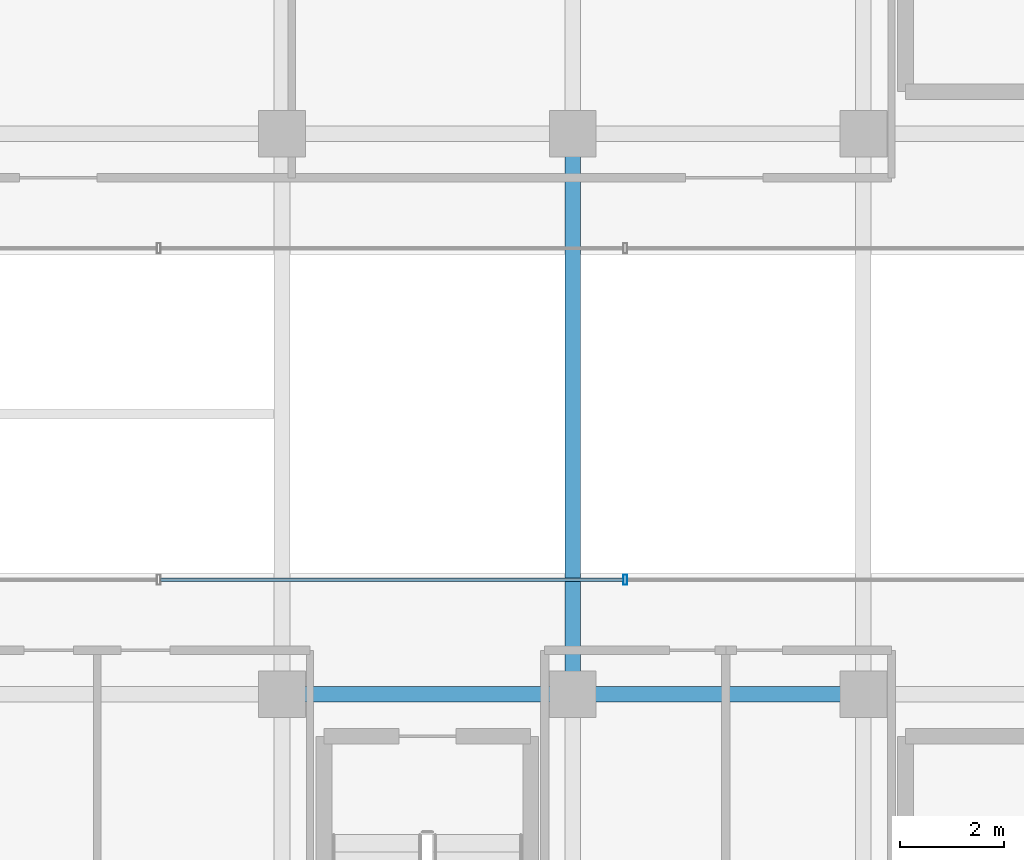
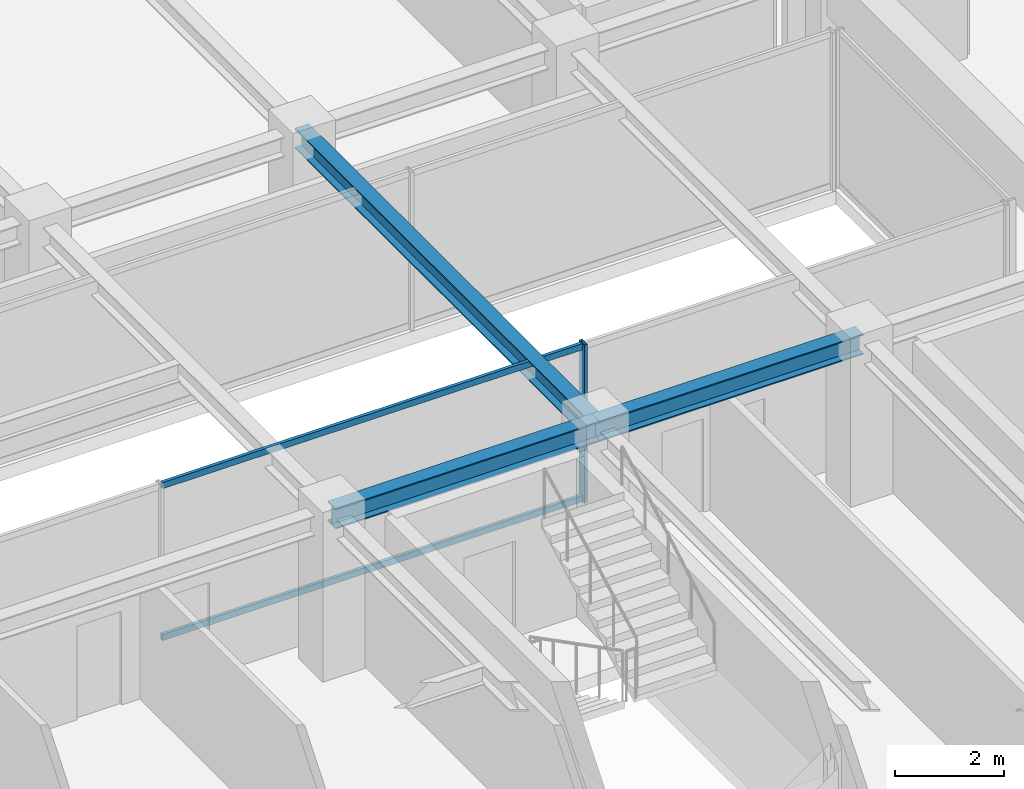
# One storey, part 13 of 39: 3 beams, 3 members, 1 element without a shape of its own.
"""IFC4 building model written with IfcOpenShell, lengths in metres."""

from ifc_helpers import new_model, si_unit, direction, frame, origin, origin_2d, place, context, subcontext, project, spatial, hollow_rectangle, i_section, extrude, source, transform, mapped, material, material_profile, profile_set, type_object, element, aggregate, save


model = new_model("IFC4")

# Units and contexts
model_context = context("Model", 3, precision=1e-05, world=origin(), true_north=direction((0.0, 1.0)))
body_context = subcontext(model_context, "Body", "Model", "MODEL_VIEW")
ifc_project = project(units=[si_unit("LENGTHUNIT", "METRE"), si_unit("AREAUNIT", "SQUARE_METRE"), si_unit("VOLUMEUNIT", "CUBIC_METRE"), si_unit("PLANEANGLEUNIT", "RADIAN"), si_unit("MASSUNIT", "GRAM", prefix="KILO")], contexts=[model_context])

# Site, building, storey
site_placement = place(None, origin())
site = spatial("IfcSite", under=ifc_project, at=site_placement, CompositionType="ELEMENT")
building_placement = place(site_placement, origin())
building = spatial("IfcBuilding", under=site, at=building_placement, Name="Nahalor Promenade Grand Hotel", CompositionType="ELEMENT")
storey_placement = place(building_placement, frame((0.0, 0.0, 311.89990234375)))
storey = spatial("IfcBuildingStorey", under=building, at=storey_placement, Name="L80", CompositionType="ELEMENT", Elevation=311.89990234375)

# Beams
ifc_material_1 = material(Name="Steel S355JR", Category="steel")
ifc_material_profile_1 = material_profile(ifc_material_1, i_section(OverallWidth=0.3, OverallDepth=0.45, WebThickness=0.014, FlangeThickness=0.026, at=origin_2d()), Name="HEB 450")
ifc_profile_set_1 = profile_set([ifc_material_profile_1], Name="Steel S355JR")
beam_type = type_object("IfcBeamType", Name="Beam-Girder-HEB450", PredefinedType="BEAM", material=ifc_profile_set_1)
shared_shape_1 = source(origin(), body_context, "Body", "SweptSolid", [
    extrude(i_section(OverallWidth=0.3, OverallDepth=0.45, WebThickness=0.014, FlangeThickness=0.026, at=origin_2d()), origin(), (0.0, 0.0, 1.0), 5.599853515625),
])
beam_1_placement = place(storey_placement, frame((-8.39990234375, -5.39990234375, 3.3251953125), z_axis=(1.0, 0.0, 0.0), x_axis=(0.0, 1.0, 0.0)))
element("IfcBeam", 1, at=beam_1_placement, inside=storey, type_object=beam_type, Name="BM-L80-GX-1-2", PredefinedType="BEAM", context=body_context, shape_type="MappedRepresentation", body=[
    mapped(shared_shape_1, transform((0.0, 0.0, 0.0), scale=1.0)),
])
shared_shape_2 = source(origin(), body_context, "Body", "SweptSolid", [
    extrude(i_section(OverallWidth=0.3, OverallDepth=0.45, WebThickness=0.014, FlangeThickness=0.026, at=origin_2d()), origin(), (0.0, 0.0, 1.0), 5.60009765625),
])
beam_2_placement = place(storey_placement, frame((-2.800048828125, -5.39990234375, 3.3251953125), z_axis=(1.0, 0.0, 0.0), x_axis=(0.0, 1.0, 0.0)))
element("IfcBeam", 2, at=beam_2_placement, inside=storey, type_object=beam_type, Name="BM-L80-GX-1-3", PredefinedType="BEAM", context=body_context, shape_type="MappedRepresentation", body=[
    mapped(shared_shape_2, transform((0.0, 0.0, 0.0), scale=1.0)),
])
shared_shape_3 = source(origin(), body_context, "Body", "SweptSolid", [
    extrude(i_section(OverallWidth=0.3, OverallDepth=0.45, WebThickness=0.014, FlangeThickness=0.026, at=origin_2d()), origin(), (0.0, 0.0, 1.0), 10.7998046875),
])
beam_3_placement = place(storey_placement, frame((-2.800048828125, -5.39990234375, 3.3251953125), z_axis=(0.0, 1.0, 0.0), x_axis=(-1.0, 0.0, 0.0)))
element("IfcBeam", 3, at=beam_3_placement, inside=storey, type_object=beam_type, Name="BM-L80-GY-2-2", PredefinedType="BEAM", context=body_context, shape_type="MappedRepresentation", body=[
    mapped(shared_shape_3, transform((0.0, 0.0, 0.0), scale=1.0)),
])

# Curtain wall, members
ifc_material_2 = material(Name="Anodised Bronze Aluminium EN AW-6063 T6", Category="aluminium")
curtain_wall_type = type_object("IfcCurtainWallType", Name="CW3 Elliptical-Void Collar Unitised Curtain Wall", PredefinedType="USERDEFINED", material=ifc_material_2)
curtain_wall_placement = place(storey_placement, origin())
curtain_wall = element("IfcCurtainWall", 4, at=curtain_wall_placement, inside=storey, type_object=curtain_wall_type, Name="L80 Curtain Wall CW-L80-VOID-WS1", ObjectType="UNITISED_CURTAIN_WALL", PredefinedType="USERDEFINED")
ifc_material_profile_2 = material_profile(ifc_material_2, hollow_rectangle(XDim=0.07, YDim=0.14, WallThickness=0.004, at=origin_2d()), Name="CWT 70x140x4")
ifc_profile_set_2 = profile_set([ifc_material_profile_2], Name="Anodised Bronze Aluminium EN AW-6063 T6")
member_type_1 = type_object("IfcMemberType", Name="CWT3 Void Collar Transom 70x140", PredefinedType="USERDEFINED", material=ifc_profile_set_2)
shared_shape_4 = source(origin(), body_context, "Body", "SweptSolid", [
    extrude(hollow_rectangle(XDim=0.07, YDim=0.14, WallThickness=0.004, at=origin_2d()), origin(), (0.0, 0.0, 1.0), 8.91650390625),
])
member_1_placement = place(storey_placement, frame((-10.73828125, -3.19091796875, 0.070068359375), z_axis=(1.0, 0.0, 0.0), x_axis=(0.0, 1.0, 0.0)))
member_1 = element("IfcMember", 5, at=member_1_placement, type_object=member_type_1, Name="CW-L80-VOID-WS1 Transom 1-0", ObjectType="TRANSOM", PredefinedType="USERDEFINED", context=body_context, shape_type="MappedRepresentation", body=[
    mapped(shared_shape_4, transform((0.0, 0.0, 0.0), scale=1.0)),
])
member_2_placement = place(storey_placement, frame((-10.73828125, -3.19091796875, 3.47998046875), z_axis=(1.0, 0.0, 0.0), x_axis=(0.0, 1.0, 0.0)))
member_2 = element("IfcMember", 6, at=member_2_placement, type_object=member_type_1, Name="CW-L80-VOID-WS1 Transom 1-1", ObjectType="TRANSOM", PredefinedType="USERDEFINED", context=body_context, shape_type="MappedRepresentation", body=[
    mapped(shared_shape_4, transform((0.0, 0.0, 0.0), scale=1.0)),
])
ifc_material_profile_3 = material_profile(ifc_material_2, hollow_rectangle(XDim=0.07, YDim=0.2, WallThickness=0.005, at=origin_2d()), Name="CWM 70x200x5")
ifc_profile_set_3 = profile_set([ifc_material_profile_3], Name="Anodised Bronze Aluminium EN AW-6063 T6")
member_type_2 = type_object("IfcMemberType", Name="CWM3 Void Collar Mullion 70x200", PredefinedType="MULLION", material=ifc_profile_set_3)
shared_shape_5 = source(origin(), body_context, "Body", "SweptSolid", [
    extrude(hollow_rectangle(XDim=0.07, YDim=0.2, WallThickness=0.005, at=origin_2d()), origin(), (0.0, 0.0, 1.0), 3.550048828125),
])
member_3_placement = place(storey_placement, frame((-1.78662109375, -3.19091796875, 0.0), z_axis=(0.0, 0.0, 1.0), x_axis=(1.0, 0.0, 0.0)))
member_3 = element("IfcMember", 7, at=member_3_placement, type_object=member_type_2, Name="CW-L80-VOID-WS1 Mullion 2", PredefinedType="MULLION", context=body_context, shape_type="MappedRepresentation", body=[
    mapped(shared_shape_5, transform((0.0, 0.0, 0.0), scale=1.0)),
])
aggregate(curtain_wall, [member_3, member_1, member_2])

save(model, "model.ifc")
